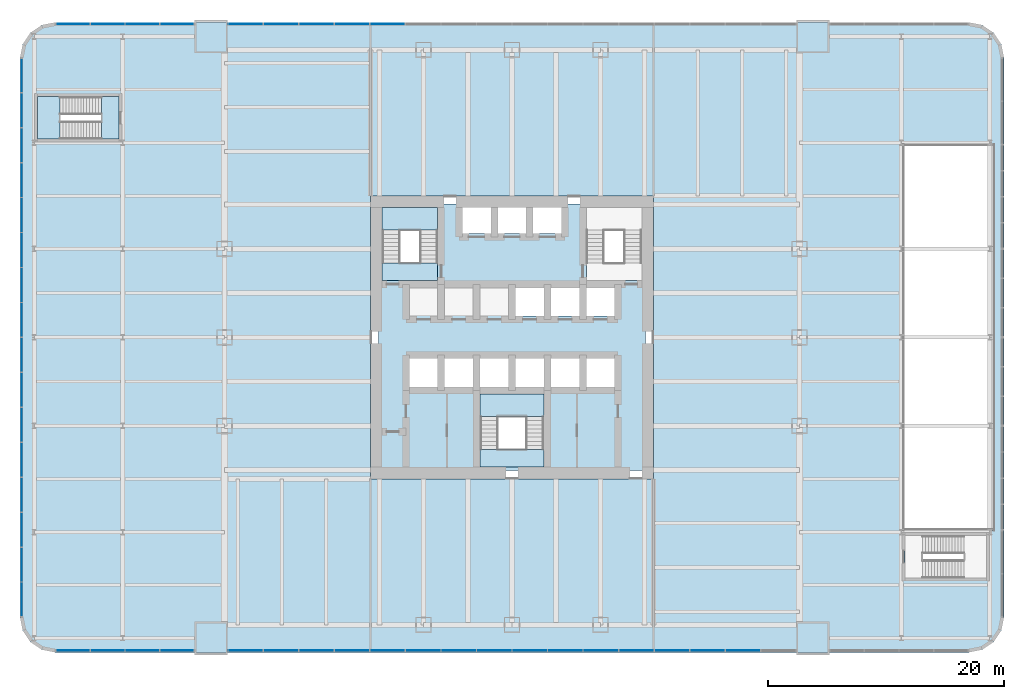
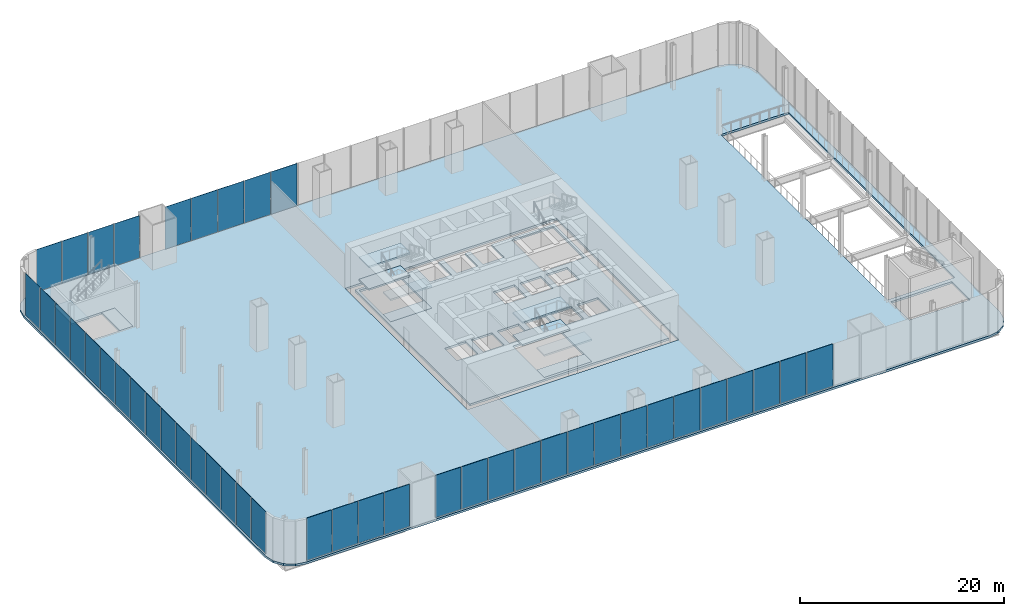
# One storey, part 10 of 16: 44 plates, 12 slabs, 8 elements without a shape of their own.
"""IFC4 building model written with IfcOpenShell, lengths in metres."""

from ifc_helpers import new_model, si_unit, direction, frame, origin, origin_2d, place, context, subcontext, project, spatial, polyline, rectangle, outline, extrude, material, layer, layer_set, type_object, element, aggregate, save


model = new_model("IFC4")

# Units and contexts
model_context = context("Model", 3, precision=1e-05, world=origin(), true_north=direction((0.0, 1.0)))
body_context = subcontext(model_context, "Body", "Model", "MODEL_VIEW")
ifc_project = project(units=[si_unit("LENGTHUNIT", "METRE"), si_unit("AREAUNIT", "SQUARE_METRE"), si_unit("VOLUMEUNIT", "CUBIC_METRE"), si_unit("PLANEANGLEUNIT", "RADIAN"), si_unit("MASSUNIT", "GRAM", prefix="KILO")], contexts=[model_context])

# Site, building, storey
site_placement = place(None, origin())
site = spatial("IfcSite", under=ifc_project, at=site_placement, CompositionType="ELEMENT")
building_placement = place(site_placement, origin())
building = spatial("IfcBuilding", under=site, at=building_placement, Name="Tarangal Relay Tower", CompositionType="ELEMENT")
storey_placement = place(building_placement, frame((0.0, 0.0, 12.60009765625)))
storey = spatial("IfcBuildingStorey", under=building, at=storey_placement, Name="L02", CompositionType="ELEMENT", Elevation=12.60009765625)

# Slabs
ifc_material_1 = material(Name="Concrete fc' 35 MPa", Category="concrete")
ifc_layer_1 = layer(ifc_material_1, 0.25)
ifc_layer_set_1 = layer_set([ifc_layer_1], Name="Core floor slab 250")
slab_type_1 = type_object("IfcSlabType", Name="Core floor slab 250", PredefinedType="FLOOR", material=ifc_layer_set_1)
slab_1_placement = place(storey_placement, frame((0.0, 0.0, -0.25)))
element("IfcSlab", 1, at=slab_1_placement, inside=storey, type_object=slab_type_1, Name="Core floor slab L02", PredefinedType="FLOOR", context=body_context, shape_type="SweptSolid", body=[
    extrude(outline(polyline([(11.300048828125, 11.300048828125), (11.300048828125, -11.300048828125), (-11.300048828125, -11.300048828125), (-11.300048828125, 11.300048828125), (-4.199951171875, 11.300048828125), (-4.199951171875, 8.800048828125), (-1.800048828125, 8.800048828125), (-1.800048828125, 11.300048828125), (-1.199951171875, 11.300048828125), (-1.199951171875, 8.800048828125), (1.199951171875, 8.800048828125), (1.199951171875, 11.300048828125), (1.800048828125, 11.300048828125), (1.800048828125, 8.800048828125), (4.199951171875, 8.800048828125), (4.199951171875, 11.300048828125), (11.300048828125, 11.300048828125)]), holes=[polyline([(2.699951171875, -4.800048828125), (-2.699951171875, -4.800048828125), (-2.699951171875, -11.0), (2.699951171875, -11.0), (2.699951171875, -4.800048828125)]), polyline([(-6.300048828125, -4.199951171875), (-6.300048828125, -1.800048828125), (-8.699951171875, -1.800048828125), (-8.699951171875, -4.199951171875), (-6.300048828125, -4.199951171875)]), polyline([(-3.300048828125, -4.199951171875), (-3.300048828125, -1.800048828125), (-5.699951171875, -1.800048828125), (-5.699951171875, -4.199951171875), (-3.300048828125, -4.199951171875)]), polyline([(-0.300048828125, -4.199951171875), (-0.300048828125, -1.800048828125), (-2.699951171875, -1.800048828125), (-2.699951171875, -4.199951171875), (-0.300048828125, -4.199951171875)]), polyline([(2.699951171875, 1.800048828125), (2.699951171875, 4.199951171875), (0.300048828125, 4.199951171875), (0.300048828125, 1.800048828125), (2.699951171875, 1.800048828125)]), polyline([(-6.300048828125, 4.800048828125), (-6.300048828125, 11.0), (-11.0, 11.0), (-11.0, 4.800048828125), (-6.300048828125, 4.800048828125)]), polyline([(2.699951171875, -4.199951171875), (2.699951171875, -1.800048828125), (0.300048828125, -1.800048828125), (0.300048828125, -4.199951171875), (2.699951171875, -4.199951171875)]), polyline([(5.699951171875, -4.199951171875), (5.699951171875, -1.800048828125), (3.300048828125, -1.800048828125), (3.300048828125, -4.199951171875), (5.699951171875, -4.199951171875)]), polyline([(8.699951171875, -4.199951171875), (8.699951171875, -1.800048828125), (6.300048828125, -1.800048828125), (6.300048828125, -4.199951171875), (8.699951171875, -4.199951171875)]), polyline([(5.699951171875, 1.800048828125), (5.699951171875, 4.199951171875), (3.300048828125, 4.199951171875), (3.300048828125, 1.800048828125), (5.699951171875, 1.800048828125)]), polyline([(8.699951171875, 1.800048828125), (8.699951171875, 4.199951171875), (6.300048828125, 4.199951171875), (6.300048828125, 1.800048828125), (8.699951171875, 1.800048828125)]), polyline([(11.0, 4.800048828125), (11.0, 11.0), (6.300048828125, 11.0), (6.300048828125, 4.800048828125), (11.0, 4.800048828125)])]), origin(), (0.0, 0.0, 1.0), 0.25),
])
ifc_layer_2 = layer(ifc_material_1, 0.25)
ifc_layer_set_2 = layer_set([ifc_layer_2], Name="Floor slab 250")
slab_type_2 = type_object("IfcSlabType", Name="Floor slab 250", PredefinedType="FLOOR", material=ifc_layer_set_2)
slab_2_placement = place(storey_placement, frame((0.0, 0.0, -0.25)))
element("IfcSlab", 2, at=slab_2_placement, inside=storey, type_object=slab_type_2, Name="Floor slab FS1 L02", PredefinedType="FLOOR", context=body_context, shape_type="SweptSolid", body=[
    extrude(outline(polyline([(41.699951171875, 23.699951171875), (41.4716796875, 24.84814453125), (40.8212890625, 25.8212890625), (39.84814453125, 26.4716796875), (38.699951171875, 26.699951171875), (-38.699951171875, 26.699951171875), (-39.84814453125, 26.4716796875), (-40.8212890625, 25.8212890625), (-41.4716796875, 24.84814453125), (-41.699951171875, 23.699951171875), (-41.699951171875, -23.699951171875), (-41.4716796875, -24.84814453125), (-40.8212890625, -25.8212890625), (-39.84814453125, -26.4716796875), (-38.699951171875, -26.699951171875), (38.699951171875, -26.699951171875), (39.84814453125, -26.4716796875), (40.8212890625, -25.8212890625), (41.4716796875, -24.84814453125), (41.699951171875, -23.699951171875), (41.699951171875, 23.699951171875)]), holes=[polyline([(-12.0, -12.0), (12.0, -12.0), (12.0, 12.0), (-12.0, 12.0), (-12.0, -12.0)]), polyline([(-40.199951171875, 16.800048828125), (-33.300048828125, 16.800048828125), (-33.300048828125, 20.39990234375), (-40.199951171875, 20.39990234375), (-40.199951171875, 16.800048828125)]), polyline([(33.300048828125, -20.39990234375), (40.199951171875, -20.39990234375), (40.199951171875, -16.800048828125), (33.300048828125, -16.800048828125), (33.300048828125, -20.39990234375)]), polyline([(33.14990234375, -16.35009765625), (40.800048828125, -16.35009765625), (40.800048828125, 16.35009765625), (33.14990234375, 16.35009765625), (33.14990234375, -16.35009765625)])]), origin(), (0.0, 0.0, 1.0), 0.25),
])

# Curtain wall, plates
ifc_material_2 = material(Name="Unitised curtain wall, dark glass and black aluminium", Category="aluminium")
curtain_wall_type = type_object("IfcCurtainWallType", Name="Curtain wall CW-P", PredefinedType="USERDEFINED", material=ifc_material_2)
curtain_wall_1_placement = place(storey_placement, origin())
curtain_wall_1 = element("IfcCurtainWall", 3, at=curtain_wall_1_placement, inside=storey, type_object=curtain_wall_type, Name="Curtain wall CW-P Podium N facade L02", ObjectType="UNITISED CURTAIN WALL", PredefinedType="USERDEFINED")
ifc_material_3 = material(Name="Dark tinted insulated glass unit", Category="glass")
ifc_layer_3 = layer(ifc_material_3, 0.033935546875)
ifc_layer_set_3 = layer_set([ifc_layer_3], Name="Glazed panel CW-P 34")
plate_type = type_object("IfcPlateType", Name="Glazed panel CW-P 34", PredefinedType="CURTAIN_PANEL", material=ifc_layer_set_3)
plate_1_placement = place(storey_placement, frame((-10.543701171875, 26.550048828125, 0.06982421875), z_axis=(0.0, 0.0, 1.0), x_axis=(-1.0, 0.0, 0.0)))
plate_1 = element("IfcPlate", 4, at=plate_1_placement, type_object=plate_type, Name="CW-P panel 12.1", PredefinedType="CURTAIN_PANEL", context=body_context, shape_type="SweptSolid", body=[
    extrude(rectangle(XDim=2.9423828125, YDim=0.033935546875, at=origin_2d()), origin(), (0.0, 0.0, 1.0), 5.080078125),
])
plate_2_placement = place(storey_placement, frame((-13.55615234375, 26.550048828125, 0.06982421875), z_axis=(0.0, 0.0, 1.0), x_axis=(-1.0, 0.0, 0.0)))
plate_2 = element("IfcPlate", 5, at=plate_2_placement, type_object=plate_type, Name="CW-P panel 13.1", PredefinedType="CURTAIN_PANEL", context=body_context, shape_type="SweptSolid", body=[
    extrude(rectangle(XDim=2.9423828125, YDim=0.033935546875, at=origin_2d()), origin(), (0.0, 0.0, 1.0), 5.080078125),
])
plate_3_placement = place(storey_placement, frame((-16.56884765625, 26.550048828125, 0.06982421875), z_axis=(0.0, 0.0, 1.0), x_axis=(-1.0, 0.0, 0.0)))
plate_3 = element("IfcPlate", 6, at=plate_3_placement, type_object=plate_type, Name="CW-P panel 14.1", PredefinedType="CURTAIN_PANEL", context=body_context, shape_type="SweptSolid", body=[
    extrude(rectangle(XDim=2.9423828125, YDim=0.033935546875, at=origin_2d()), origin(), (0.0, 0.0, 1.0), 5.080078125),
])
plate_4_placement = place(storey_placement, frame((-19.581298828125, 26.550048828125, 0.06982421875), z_axis=(0.0, 0.0, 1.0), x_axis=(-1.0, 0.0, 0.0)))
plate_4 = element("IfcPlate", 7, at=plate_4_placement, type_object=plate_type, Name="CW-P panel 15.1", PredefinedType="CURTAIN_PANEL", context=body_context, shape_type="SweptSolid", body=[
    extrude(rectangle(XDim=2.9423828125, YDim=0.033935546875, at=origin_2d()), origin(), (0.0, 0.0, 1.0), 5.080078125),
])
plate_5_placement = place(storey_placement, frame((-22.576171875, 26.550048828125, 0.06982421875), z_axis=(0.0, 0.0, 1.0), x_axis=(-1.0, 0.0, 0.0)))
plate_5 = element("IfcPlate", 8, at=plate_5_placement, type_object=plate_type, Name="CW-P panel 16.1", PredefinedType="CURTAIN_PANEL", context=body_context, shape_type="SweptSolid", body=[
    extrude(rectangle(XDim=2.907470703125, YDim=0.033935546875, at=origin_2d()), origin(), (0.0, 0.0, 1.0), 5.080078125),
])
aggregate(curtain_wall_1, [plate_1, plate_2, plate_3, plate_4, plate_5])

curtain_wall_2_placement = place(storey_placement, origin())
curtain_wall_2 = element("IfcCurtainWall", 9, at=curtain_wall_2_placement, inside=storey, type_object=curtain_wall_type, Name="Curtain wall CW-P Podium N facade L02", ObjectType="UNITISED CURTAIN WALL", PredefinedType="USERDEFINED")
plate_6_placement = place(storey_placement, frame((-28.392578125, 26.550048828125, 0.06982421875), z_axis=(0.0, 0.0, 1.0), x_axis=(-1.0, 0.0, 0.0)))
plate_6 = element("IfcPlate", 10, at=plate_6_placement, type_object=plate_type, Name="CW-P panel 1.1", PredefinedType="CURTAIN_PANEL", context=body_context, shape_type="SweptSolid", body=[
    extrude(rectangle(XDim=2.844970703125, YDim=0.033935546875, at=origin_2d()), origin(), (0.0, 0.0, 1.0), 5.080078125),
])
plate_7_placement = place(storey_placement, frame((-31.324951171875, 26.550048828125, 0.06982421875), z_axis=(0.0, 0.0, 1.0), x_axis=(-1.0, 0.0, 0.0)))
plate_7 = element("IfcPlate", 11, at=plate_7_placement, type_object=plate_type, Name="CW-P panel 2.1", PredefinedType="CURTAIN_PANEL", context=body_context, shape_type="SweptSolid", body=[
    extrude(rectangle(XDim=2.8798828125, YDim=0.033935546875, at=origin_2d()), origin(), (0.0, 0.0, 1.0), 5.080078125),
])
plate_8_placement = place(storey_placement, frame((-34.27490234375, 26.550048828125, 0.06982421875), z_axis=(0.0, 0.0, 1.0), x_axis=(-1.0, 0.0, 0.0)))
plate_8 = element("IfcPlate", 12, at=plate_8_placement, type_object=plate_type, Name="CW-P panel 3.1", PredefinedType="CURTAIN_PANEL", context=body_context, shape_type="SweptSolid", body=[
    extrude(rectangle(XDim=2.8798828125, YDim=0.033935546875, at=origin_2d()), origin(), (0.0, 0.0, 1.0), 5.080078125),
])
plate_9_placement = place(storey_placement, frame((-37.20751953125, 26.550048828125, 0.06982421875), z_axis=(0.0, 0.0, 1.0), x_axis=(-1.0, 0.0, 0.0)))
plate_9 = element("IfcPlate", 13, at=plate_9_placement, type_object=plate_type, Name="CW-P panel 4.1", PredefinedType="CURTAIN_PANEL", context=body_context, shape_type="SweptSolid", body=[
    extrude(rectangle(XDim=2.844970703125, YDim=0.033935546875, at=origin_2d()), origin(), (0.0, 0.0, 1.0), 5.080078125),
])
aggregate(curtain_wall_2, [plate_6, plate_7, plate_8, plate_9])

curtain_wall_3_placement = place(storey_placement, origin())
curtain_wall_3 = element("IfcCurtainWall", 14, at=curtain_wall_3_placement, inside=storey, type_object=curtain_wall_type, Name="Curtain wall CW-P Podium W facade L02", ObjectType="UNITISED CURTAIN WALL", PredefinedType="USERDEFINED")
plate_10_placement = place(storey_placement, frame((-41.550048828125, 22.201171875, 0.06982421875), z_axis=(0.0, 0.0, 1.0), x_axis=(0.0, -1.0, 0.0)))
plate_10 = element("IfcPlate", 15, at=plate_10_placement, type_object=plate_type, Name="CW-P panel 1.1", PredefinedType="CURTAIN_PANEL", context=body_context, shape_type="SweptSolid", body=[
    extrude(rectangle(XDim=2.857421875, YDim=0.033935546875, at=origin_2d()), origin(), (0.0, 0.0, 1.0), 5.080078125),
])
plate_11_placement = place(storey_placement, frame((-41.550048828125, 19.25634765625, 0.06982421875), z_axis=(0.0, 0.0, 1.0), x_axis=(0.0, -1.0, 0.0)))
plate_11 = element("IfcPlate", 16, at=plate_11_placement, type_object=plate_type, Name="CW-P panel 2.1", PredefinedType="CURTAIN_PANEL", context=body_context, shape_type="SweptSolid", body=[
    extrude(rectangle(XDim=2.892578125, YDim=0.033935546875, at=origin_2d()), origin(), (0.0, 0.0, 1.0), 5.080078125),
])
plate_12_placement = place(storey_placement, frame((-41.550048828125, 16.293701171875, 0.06982421875), z_axis=(0.0, 0.0, 1.0), x_axis=(0.0, -1.0, 0.0)))
plate_12 = element("IfcPlate", 17, at=plate_12_placement, type_object=plate_type, Name="CW-P panel 3.1", PredefinedType="CURTAIN_PANEL", context=body_context, shape_type="SweptSolid", body=[
    extrude(rectangle(XDim=2.892578125, YDim=0.033935546875, at=origin_2d()), origin(), (0.0, 0.0, 1.0), 5.080078125),
])
plate_13_placement = place(storey_placement, frame((-41.550048828125, 13.331298828125, 0.06982421875), z_axis=(0.0, 0.0, 1.0), x_axis=(0.0, -1.0, 0.0)))
plate_13 = element("IfcPlate", 18, at=plate_13_placement, type_object=plate_type, Name="CW-P panel 4.1", PredefinedType="CURTAIN_PANEL", context=body_context, shape_type="SweptSolid", body=[
    extrude(rectangle(XDim=2.892578125, YDim=0.033935546875, at=origin_2d()), origin(), (0.0, 0.0, 1.0), 5.080078125),
])
plate_14_placement = place(storey_placement, frame((-41.550048828125, 10.36865234375, 0.06982421875), z_axis=(0.0, 0.0, 1.0), x_axis=(0.0, -1.0, 0.0)))
plate_14 = element("IfcPlate", 19, at=plate_14_placement, type_object=plate_type, Name="CW-P panel 5.1", PredefinedType="CURTAIN_PANEL", context=body_context, shape_type="SweptSolid", body=[
    extrude(rectangle(XDim=2.892578125, YDim=0.033935546875, at=origin_2d()), origin(), (0.0, 0.0, 1.0), 5.080078125),
])
plate_15_placement = place(storey_placement, frame((-41.550048828125, 7.40625, 0.06982421875), z_axis=(0.0, 0.0, 1.0), x_axis=(0.0, -1.0, 0.0)))
plate_15 = element("IfcPlate", 20, at=plate_15_placement, type_object=plate_type, Name="CW-P panel 6.1", PredefinedType="CURTAIN_PANEL", context=body_context, shape_type="SweptSolid", body=[
    extrude(rectangle(XDim=2.892578125, YDim=0.033935546875, at=origin_2d()), origin(), (0.0, 0.0, 1.0), 5.080078125),
])
plate_16_placement = place(storey_placement, frame((-41.550048828125, 4.44384765625, 0.06982421875), z_axis=(0.0, 0.0, 1.0), x_axis=(0.0, -1.0, 0.0)))
plate_16 = element("IfcPlate", 21, at=plate_16_placement, type_object=plate_type, Name="CW-P panel 7.1", PredefinedType="CURTAIN_PANEL", context=body_context, shape_type="SweptSolid", body=[
    extrude(rectangle(XDim=2.892578125, YDim=0.033935546875, at=origin_2d()), origin(), (0.0, 0.0, 1.0), 5.080078125),
])
plate_17_placement = place(storey_placement, frame((-41.550048828125, 1.481201171875, 0.06982421875), z_axis=(0.0, 0.0, 1.0), x_axis=(0.0, -1.0, 0.0)))
plate_17 = element("IfcPlate", 22, at=plate_17_placement, type_object=plate_type, Name="CW-P panel 8.1", PredefinedType="CURTAIN_PANEL", context=body_context, shape_type="SweptSolid", body=[
    extrude(rectangle(XDim=2.892578125, YDim=0.033935546875, at=origin_2d()), origin(), (0.0, 0.0, 1.0), 5.080078125),
])
plate_18_placement = place(storey_placement, frame((-41.550048828125, -1.481201171875, 0.06982421875), z_axis=(0.0, 0.0, 1.0), x_axis=(0.0, -1.0, 0.0)))
plate_18 = element("IfcPlate", 23, at=plate_18_placement, type_object=plate_type, Name="CW-P panel 9.1", PredefinedType="CURTAIN_PANEL", context=body_context, shape_type="SweptSolid", body=[
    extrude(rectangle(XDim=2.892578125, YDim=0.033935546875, at=origin_2d()), origin(), (0.0, 0.0, 1.0), 5.080078125),
])
plate_19_placement = place(storey_placement, frame((-41.550048828125, -4.44384765625, 0.06982421875), z_axis=(0.0, 0.0, 1.0), x_axis=(0.0, -1.0, 0.0)))
plate_19 = element("IfcPlate", 24, at=plate_19_placement, type_object=plate_type, Name="CW-P panel 10.1", PredefinedType="CURTAIN_PANEL", context=body_context, shape_type="SweptSolid", body=[
    extrude(rectangle(XDim=2.892578125, YDim=0.033935546875, at=origin_2d()), origin(), (0.0, 0.0, 1.0), 5.080078125),
])
plate_20_placement = place(storey_placement, frame((-41.550048828125, -7.40625, 0.06982421875), z_axis=(0.0, 0.0, 1.0), x_axis=(0.0, -1.0, 0.0)))
plate_20 = element("IfcPlate", 25, at=plate_20_placement, type_object=plate_type, Name="CW-P panel 11.1", PredefinedType="CURTAIN_PANEL", context=body_context, shape_type="SweptSolid", body=[
    extrude(rectangle(XDim=2.892578125, YDim=0.033935546875, at=origin_2d()), origin(), (0.0, 0.0, 1.0), 5.080078125),
])
plate_21_placement = place(storey_placement, frame((-41.550048828125, -10.36865234375, 0.06982421875), z_axis=(0.0, 0.0, 1.0), x_axis=(0.0, -1.0, 0.0)))
plate_21 = element("IfcPlate", 26, at=plate_21_placement, type_object=plate_type, Name="CW-P panel 12.1", PredefinedType="CURTAIN_PANEL", context=body_context, shape_type="SweptSolid", body=[
    extrude(rectangle(XDim=2.892578125, YDim=0.033935546875, at=origin_2d()), origin(), (0.0, 0.0, 1.0), 5.080078125),
])
plate_22_placement = place(storey_placement, frame((-41.550048828125, -13.331298828125, 0.06982421875), z_axis=(0.0, 0.0, 1.0), x_axis=(0.0, -1.0, 0.0)))
plate_22 = element("IfcPlate", 27, at=plate_22_placement, type_object=plate_type, Name="CW-P panel 13.1", PredefinedType="CURTAIN_PANEL", context=body_context, shape_type="SweptSolid", body=[
    extrude(rectangle(XDim=2.892578125, YDim=0.033935546875, at=origin_2d()), origin(), (0.0, 0.0, 1.0), 5.080078125),
])
plate_23_placement = place(storey_placement, frame((-41.550048828125, -16.293701171875, 0.06982421875), z_axis=(0.0, 0.0, 1.0), x_axis=(0.0, -1.0, 0.0)))
plate_23 = element("IfcPlate", 28, at=plate_23_placement, type_object=plate_type, Name="CW-P panel 14.1", PredefinedType="CURTAIN_PANEL", context=body_context, shape_type="SweptSolid", body=[
    extrude(rectangle(XDim=2.892578125, YDim=0.033935546875, at=origin_2d()), origin(), (0.0, 0.0, 1.0), 5.080078125),
])
plate_24_placement = place(storey_placement, frame((-41.550048828125, -19.25634765625, 0.06982421875), z_axis=(0.0, 0.0, 1.0), x_axis=(0.0, -1.0, 0.0)))
plate_24 = element("IfcPlate", 29, at=plate_24_placement, type_object=plate_type, Name="CW-P panel 15.1", PredefinedType="CURTAIN_PANEL", context=body_context, shape_type="SweptSolid", body=[
    extrude(rectangle(XDim=2.892578125, YDim=0.033935546875, at=origin_2d()), origin(), (0.0, 0.0, 1.0), 5.080078125),
])
plate_25_placement = place(storey_placement, frame((-41.550048828125, -22.201171875, 0.06982421875), z_axis=(0.0, 0.0, 1.0), x_axis=(0.0, -1.0, 0.0)))
plate_25 = element("IfcPlate", 30, at=plate_25_placement, type_object=plate_type, Name="CW-P panel 16.1", PredefinedType="CURTAIN_PANEL", context=body_context, shape_type="SweptSolid", body=[
    extrude(rectangle(XDim=2.857421875, YDim=0.033935546875, at=origin_2d()), origin(), (0.0, 0.0, 1.0), 5.080078125),
])
aggregate(curtain_wall_3, [plate_10, plate_11, plate_12, plate_13, plate_14, plate_15, plate_16, plate_17, plate_18, plate_19, plate_20, plate_21, plate_22, plate_23, plate_24, plate_25])

curtain_wall_4_placement = place(storey_placement, origin())
curtain_wall_4 = element("IfcCurtainWall", 31, at=curtain_wall_4_placement, inside=storey, type_object=curtain_wall_type, Name="Curtain wall CW-P Podium S facade L02", ObjectType="UNITISED CURTAIN WALL", PredefinedType="USERDEFINED")
plate_26_placement = place(storey_placement, frame((-37.20751953125, -26.550048828125, 0.06982421875), z_axis=(0.0, 0.0, 1.0), x_axis=(1.0, 0.0, 0.0)))
plate_26 = element("IfcPlate", 32, at=plate_26_placement, type_object=plate_type, Name="CW-P panel 1.1", PredefinedType="CURTAIN_PANEL", context=body_context, shape_type="SweptSolid", body=[
    extrude(rectangle(XDim=2.844970703125, YDim=0.033935546875, at=origin_2d()), origin(), (0.0, 0.0, 1.0), 5.080078125),
])
plate_27_placement = place(storey_placement, frame((-34.27490234375, -26.550048828125, 0.06982421875), z_axis=(0.0, 0.0, 1.0), x_axis=(1.0, 0.0, 0.0)))
plate_27 = element("IfcPlate", 33, at=plate_27_placement, type_object=plate_type, Name="CW-P panel 2.1", PredefinedType="CURTAIN_PANEL", context=body_context, shape_type="SweptSolid", body=[
    extrude(rectangle(XDim=2.8798828125, YDim=0.033935546875, at=origin_2d()), origin(), (0.0, 0.0, 1.0), 5.080078125),
])
plate_28_placement = place(storey_placement, frame((-31.324951171875, -26.550048828125, 0.06982421875), z_axis=(0.0, 0.0, 1.0), x_axis=(1.0, 0.0, 0.0)))
plate_28 = element("IfcPlate", 34, at=plate_28_placement, type_object=plate_type, Name="CW-P panel 3.1", PredefinedType="CURTAIN_PANEL", context=body_context, shape_type="SweptSolid", body=[
    extrude(rectangle(XDim=2.8798828125, YDim=0.033935546875, at=origin_2d()), origin(), (0.0, 0.0, 1.0), 5.080078125),
])
plate_29_placement = place(storey_placement, frame((-28.392578125, -26.550048828125, 0.06982421875), z_axis=(0.0, 0.0, 1.0), x_axis=(1.0, 0.0, 0.0)))
plate_29 = element("IfcPlate", 35, at=plate_29_placement, type_object=plate_type, Name="CW-P panel 4.1", PredefinedType="CURTAIN_PANEL", context=body_context, shape_type="SweptSolid", body=[
    extrude(rectangle(XDim=2.844970703125, YDim=0.033935546875, at=origin_2d()), origin(), (0.0, 0.0, 1.0), 5.080078125),
])
aggregate(curtain_wall_4, [plate_26, plate_27, plate_28, plate_29])

curtain_wall_5_placement = place(storey_placement, origin())
curtain_wall_5 = element("IfcCurtainWall", 36, at=curtain_wall_5_placement, inside=storey, type_object=curtain_wall_type, Name="Curtain wall CW-P Podium S facade L02", ObjectType="UNITISED CURTAIN WALL", PredefinedType="USERDEFINED")
plate_30_placement = place(storey_placement, frame((-22.576171875, -26.550048828125, 0.06982421875), z_axis=(0.0, 0.0, 1.0), x_axis=(1.0, 0.0, 0.0)))
plate_30 = element("IfcPlate", 37, at=plate_30_placement, type_object=plate_type, Name="CW-P panel 1.1", PredefinedType="CURTAIN_PANEL", context=body_context, shape_type="SweptSolid", body=[
    extrude(rectangle(XDim=2.907470703125, YDim=0.033935546875, at=origin_2d()), origin(), (0.0, 0.0, 1.0), 5.080078125),
])
plate_31_placement = place(storey_placement, frame((-19.581298828125, -26.550048828125, 0.06982421875), z_axis=(0.0, 0.0, 1.0), x_axis=(1.0, 0.0, 0.0)))
plate_31 = element("IfcPlate", 38, at=plate_31_placement, type_object=plate_type, Name="CW-P panel 2.1", PredefinedType="CURTAIN_PANEL", context=body_context, shape_type="SweptSolid", body=[
    extrude(rectangle(XDim=2.9423828125, YDim=0.033935546875, at=origin_2d()), origin(), (0.0, 0.0, 1.0), 5.080078125),
])
plate_32_placement = place(storey_placement, frame((-16.56884765625, -26.550048828125, 0.06982421875), z_axis=(0.0, 0.0, 1.0), x_axis=(1.0, 0.0, 0.0)))
plate_32 = element("IfcPlate", 39, at=plate_32_placement, type_object=plate_type, Name="CW-P panel 3.1", PredefinedType="CURTAIN_PANEL", context=body_context, shape_type="SweptSolid", body=[
    extrude(rectangle(XDim=2.9423828125, YDim=0.033935546875, at=origin_2d()), origin(), (0.0, 0.0, 1.0), 5.080078125),
])
plate_33_placement = place(storey_placement, frame((-13.55615234375, -26.550048828125, 0.06982421875), z_axis=(0.0, 0.0, 1.0), x_axis=(1.0, 0.0, 0.0)))
plate_33 = element("IfcPlate", 40, at=plate_33_placement, type_object=plate_type, Name="CW-P panel 4.1", PredefinedType="CURTAIN_PANEL", context=body_context, shape_type="SweptSolid", body=[
    extrude(rectangle(XDim=2.9423828125, YDim=0.033935546875, at=origin_2d()), origin(), (0.0, 0.0, 1.0), 5.080078125),
])
plate_34_placement = place(storey_placement, frame((-10.543701171875, -26.550048828125, 0.06982421875), z_axis=(0.0, 0.0, 1.0), x_axis=(1.0, 0.0, 0.0)))
plate_34 = element("IfcPlate", 41, at=plate_34_placement, type_object=plate_type, Name="CW-P panel 5.1", PredefinedType="CURTAIN_PANEL", context=body_context, shape_type="SweptSolid", body=[
    extrude(rectangle(XDim=2.9423828125, YDim=0.033935546875, at=origin_2d()), origin(), (0.0, 0.0, 1.0), 5.080078125),
])
plate_35_placement = place(storey_placement, frame((-7.53125, -26.550048828125, 0.06982421875), z_axis=(0.0, 0.0, 1.0), x_axis=(1.0, 0.0, 0.0)))
plate_35 = element("IfcPlate", 42, at=plate_35_placement, type_object=plate_type, Name="CW-P panel 6.1", PredefinedType="CURTAIN_PANEL", context=body_context, shape_type="SweptSolid", body=[
    extrude(rectangle(XDim=2.9423828125, YDim=0.033935546875, at=origin_2d()), origin(), (0.0, 0.0, 1.0), 5.080078125),
])
plate_36_placement = place(storey_placement, frame((-4.518798828125, -26.550048828125, 0.06982421875), z_axis=(0.0, 0.0, 1.0), x_axis=(1.0, 0.0, 0.0)))
plate_36 = element("IfcPlate", 43, at=plate_36_placement, type_object=plate_type, Name="CW-P panel 7.1", PredefinedType="CURTAIN_PANEL", context=body_context, shape_type="SweptSolid", body=[
    extrude(rectangle(XDim=2.9423828125, YDim=0.033935546875, at=origin_2d()), origin(), (0.0, 0.0, 1.0), 5.080078125),
])
plate_37_placement = place(storey_placement, frame((-1.50634765625, -26.550048828125, 0.06982421875), z_axis=(0.0, 0.0, 1.0), x_axis=(1.0, 0.0, 0.0)))
plate_37 = element("IfcPlate", 44, at=plate_37_placement, type_object=plate_type, Name="CW-P panel 8.1", PredefinedType="CURTAIN_PANEL", context=body_context, shape_type="SweptSolid", body=[
    extrude(rectangle(XDim=2.9423828125, YDim=0.033935546875, at=origin_2d()), origin(), (0.0, 0.0, 1.0), 5.080078125),
])
plate_38_placement = place(storey_placement, frame((1.50634765625, -26.550048828125, 0.06982421875), z_axis=(0.0, 0.0, 1.0), x_axis=(1.0, 0.0, 0.0)))
plate_38 = element("IfcPlate", 45, at=plate_38_placement, type_object=plate_type, Name="CW-P panel 9.1", PredefinedType="CURTAIN_PANEL", context=body_context, shape_type="SweptSolid", body=[
    extrude(rectangle(XDim=2.9423828125, YDim=0.033935546875, at=origin_2d()), origin(), (0.0, 0.0, 1.0), 5.080078125),
])
plate_39_placement = place(storey_placement, frame((4.518798828125, -26.550048828125, 0.06982421875), z_axis=(0.0, 0.0, 1.0), x_axis=(1.0, 0.0, 0.0)))
plate_39 = element("IfcPlate", 46, at=plate_39_placement, type_object=plate_type, Name="CW-P panel 10.1", PredefinedType="CURTAIN_PANEL", context=body_context, shape_type="SweptSolid", body=[
    extrude(rectangle(XDim=2.9423828125, YDim=0.033935546875, at=origin_2d()), origin(), (0.0, 0.0, 1.0), 5.080078125),
])
plate_40_placement = place(storey_placement, frame((7.53125, -26.550048828125, 0.06982421875), z_axis=(0.0, 0.0, 1.0), x_axis=(1.0, 0.0, 0.0)))
plate_40 = element("IfcPlate", 47, at=plate_40_placement, type_object=plate_type, Name="CW-P panel 11.1", PredefinedType="CURTAIN_PANEL", context=body_context, shape_type="SweptSolid", body=[
    extrude(rectangle(XDim=2.9423828125, YDim=0.033935546875, at=origin_2d()), origin(), (0.0, 0.0, 1.0), 5.080078125),
])
plate_41_placement = place(storey_placement, frame((10.543701171875, -26.550048828125, 0.06982421875), z_axis=(0.0, 0.0, 1.0), x_axis=(1.0, 0.0, 0.0)))
plate_41 = element("IfcPlate", 48, at=plate_41_placement, type_object=plate_type, Name="CW-P panel 12.1", PredefinedType="CURTAIN_PANEL", context=body_context, shape_type="SweptSolid", body=[
    extrude(rectangle(XDim=2.9423828125, YDim=0.033935546875, at=origin_2d()), origin(), (0.0, 0.0, 1.0), 5.080078125),
])
plate_42_placement = place(storey_placement, frame((13.55615234375, -26.550048828125, 0.06982421875), z_axis=(0.0, 0.0, 1.0), x_axis=(1.0, 0.0, 0.0)))
plate_42 = element("IfcPlate", 49, at=plate_42_placement, type_object=plate_type, Name="CW-P panel 13.1", PredefinedType="CURTAIN_PANEL", context=body_context, shape_type="SweptSolid", body=[
    extrude(rectangle(XDim=2.9423828125, YDim=0.033935546875, at=origin_2d()), origin(), (0.0, 0.0, 1.0), 5.080078125),
])
plate_43_placement = place(storey_placement, frame((16.56884765625, -26.550048828125, 0.06982421875), z_axis=(0.0, 0.0, 1.0), x_axis=(1.0, 0.0, 0.0)))
plate_43 = element("IfcPlate", 50, at=plate_43_placement, type_object=plate_type, Name="CW-P panel 14.1", PredefinedType="CURTAIN_PANEL", context=body_context, shape_type="SweptSolid", body=[
    extrude(rectangle(XDim=2.9423828125, YDim=0.033935546875, at=origin_2d()), origin(), (0.0, 0.0, 1.0), 5.080078125),
])
plate_44_placement = place(storey_placement, frame((19.581298828125, -26.550048828125, 0.06982421875), z_axis=(0.0, 0.0, 1.0), x_axis=(1.0, 0.0, 0.0)))
plate_44 = element("IfcPlate", 51, at=plate_44_placement, type_object=plate_type, Name="CW-P panel 15.1", PredefinedType="CURTAIN_PANEL", context=body_context, shape_type="SweptSolid", body=[
    extrude(rectangle(XDim=2.9423828125, YDim=0.033935546875, at=origin_2d()), origin(), (0.0, 0.0, 1.0), 5.080078125),
])
aggregate(curtain_wall_5, [plate_30, plate_31, plate_32, plate_33, plate_34, plate_35, plate_36, plate_37, plate_38, plate_39, plate_40, plate_41, plate_42, plate_43, plate_44])

# Stair, slabs
ifc_material_4 = material(Name="Steel ASTM A992 stair flight", Category="steel")
stair_type_1 = type_object("IfcStairType", Name="Core stair 1500", PredefinedType="HALF_TURN_STAIR", material=ifc_material_4)
stair_1_placement = place(storey_placement, origin())
stair_1 = element("IfcStair", 52, at=stair_1_placement, inside=storey, type_object=stair_type_1, Name="Stair ST-A L02", PredefinedType="HALF_TURN_STAIR")
ifc_layer_4 = layer(ifc_material_1, 0.199951171875)
ifc_layer_set_4 = layer_set([ifc_layer_4], Name="Stair landing 200")
slab_type_3 = type_object("IfcSlabType", Name="Stair landing 200", PredefinedType="LANDING", material=ifc_layer_set_4)
slab_3_placement = place(storey_placement, frame((0.0, 0.0, -0.2001953125)))
slab_3 = element("IfcSlab", 53, at=slab_3_placement, type_object=slab_type_3, Name="ST-A landing 1", PredefinedType="LANDING", context=body_context, shape_type="SweptSolid", body=[
    extrude(outline(polyline([(-11.0, 4.800048828125), (-6.300048828125, 4.800048828125), (-6.300048828125, 6.300048828125), (-11.0, 6.300048828125), (-11.0, 4.800048828125)])), origin(), (0.0, 0.0, 1.0), 0.2001953125),
])
slab_4_placement = place(storey_placement, frame((0.0, 0.0, 1.14990234375)))
slab_4 = element("IfcSlab", 54, at=slab_4_placement, type_object=slab_type_3, Name="ST-A landing 2", PredefinedType="LANDING", context=body_context, shape_type="SweptSolid", body=[
    extrude(outline(polyline([(-11.0, 9.083984375), (-6.300048828125, 9.083984375), (-6.300048828125, 11.0), (-11.0, 11.0), (-11.0, 9.083984375)])), origin(), (0.0, 0.0, 1.0), 0.199951171875),
])
slab_5_placement = place(storey_placement, frame((0.0, 0.0, 2.5)))
slab_5 = element("IfcSlab", 55, at=slab_5_placement, type_object=slab_type_3, Name="ST-A landing 3", PredefinedType="LANDING", context=body_context, shape_type="SweptSolid", body=[
    extrude(outline(polyline([(-11.0, 4.800048828125), (-6.300048828125, 4.800048828125), (-6.300048828125, 6.300048828125), (-11.0, 6.300048828125), (-11.0, 4.800048828125)])), origin(), (0.0, 0.0, 1.0), 0.199951171875),
])
slab_6_placement = place(storey_placement, frame((0.0, 0.0, 3.849853515625)))
slab_6 = element("IfcSlab", 56, at=slab_6_placement, type_object=slab_type_3, Name="ST-A landing 4", PredefinedType="LANDING", context=body_context, shape_type="SweptSolid", body=[
    extrude(outline(polyline([(-11.0, 9.083984375), (-6.300048828125, 9.083984375), (-6.300048828125, 11.0), (-11.0, 11.0), (-11.0, 9.083984375)])), origin(), (0.0, 0.0, 1.0), 0.199951171875),
])
aggregate(stair_1, [slab_3, slab_4, slab_5, slab_6])

stair_2_placement = place(storey_placement, origin())
stair_2 = element("IfcStair", 57, at=stair_2_placement, inside=storey, type_object=stair_type_1, Name="Stair ST-C L02", PredefinedType="HALF_TURN_STAIR")
slab_7_placement = place(storey_placement, frame((0.0, 0.0, -0.2001953125)))
slab_7 = element("IfcSlab", 58, at=slab_7_placement, type_object=slab_type_3, Name="ST-C landing 1", PredefinedType="LANDING", context=body_context, shape_type="SweptSolid", body=[
    extrude(outline(polyline([(-2.699951171875, -11.0), (2.699951171875, -11.0), (2.699951171875, -9.5), (-2.699951171875, -9.5), (-2.699951171875, -11.0)])), origin(), (0.0, 0.0, 1.0), 0.2001953125),
])
slab_8_placement = place(storey_placement, frame((0.0, 0.0, 1.14990234375)))
slab_8 = element("IfcSlab", 59, at=slab_8_placement, type_object=slab_type_3, Name="ST-C landing 2", PredefinedType="LANDING", context=body_context, shape_type="SweptSolid", body=[
    extrude(outline(polyline([(-2.699951171875, -6.716064453125), (2.699951171875, -6.716064453125), (2.699951171875, -4.800048828125), (-2.699951171875, -4.800048828125), (-2.699951171875, -6.716064453125)])), origin(), (0.0, 0.0, 1.0), 0.199951171875),
])
slab_9_placement = place(storey_placement, frame((0.0, 0.0, 2.5)))
slab_9 = element("IfcSlab", 60, at=slab_9_placement, type_object=slab_type_3, Name="ST-C landing 3", PredefinedType="LANDING", context=body_context, shape_type="SweptSolid", body=[
    extrude(outline(polyline([(-2.699951171875, -11.0), (2.699951171875, -11.0), (2.699951171875, -9.5), (-2.699951171875, -9.5), (-2.699951171875, -11.0)])), origin(), (0.0, 0.0, 1.0), 0.199951171875),
])
slab_10_placement = place(storey_placement, frame((0.0, 0.0, 3.849853515625)))
slab_10 = element("IfcSlab", 61, at=slab_10_placement, type_object=slab_type_3, Name="ST-C landing 4", PredefinedType="LANDING", context=body_context, shape_type="SweptSolid", body=[
    extrude(outline(polyline([(-2.699951171875, -6.716064453125), (2.699951171875, -6.716064453125), (2.699951171875, -4.800048828125), (-2.699951171875, -4.800048828125), (-2.699951171875, -6.716064453125)])), origin(), (0.0, 0.0, 1.0), 0.199951171875),
])
aggregate(stair_2, [slab_7, slab_8, slab_9, slab_10])

stair_type_2 = type_object("IfcStairType", Name="Podium stair 1500", PredefinedType="HALF_TURN_STAIR", material=ifc_material_4)
stair_3_placement = place(storey_placement, origin())
stair_3 = element("IfcStair", 62, at=stair_3_placement, inside=storey, type_object=stair_type_2, Name="Stair ST-D L02", PredefinedType="HALF_TURN_STAIR")
slab_11_placement = place(storey_placement, frame((0.0, 0.0, -0.2001953125)))
slab_11 = element("IfcSlab", 63, at=slab_11_placement, type_object=slab_type_3, Name="ST-D landing 1", PredefinedType="LANDING", context=body_context, shape_type="SweptSolid", body=[
    extrude(outline(polyline([(-33.300048828125, 16.800048828125), (-33.300048828125, 20.39990234375), (-34.800048828125, 20.39990234375), (-34.800048828125, 16.800048828125), (-33.300048828125, 16.800048828125)])), origin(), (0.0, 0.0, 1.0), 0.2001953125),
])
slab_12_placement = place(storey_placement, frame((0.0, 0.0, 2.5)))
slab_12 = element("IfcSlab", 64, at=slab_12_placement, type_object=slab_type_3, Name="ST-D landing 2", PredefinedType="LANDING", context=body_context, shape_type="SweptSolid", body=[
    extrude(outline(polyline([(-38.300048828125, 16.800048828125), (-38.300048828125, 20.39990234375), (-40.199951171875, 20.39990234375), (-40.199951171875, 16.800048828125), (-38.300048828125, 16.800048828125)])), origin(), (0.0, 0.0, 1.0), 0.199951171875),
])
aggregate(stair_3, [slab_11, slab_12])

save(model, "model.ifc")
